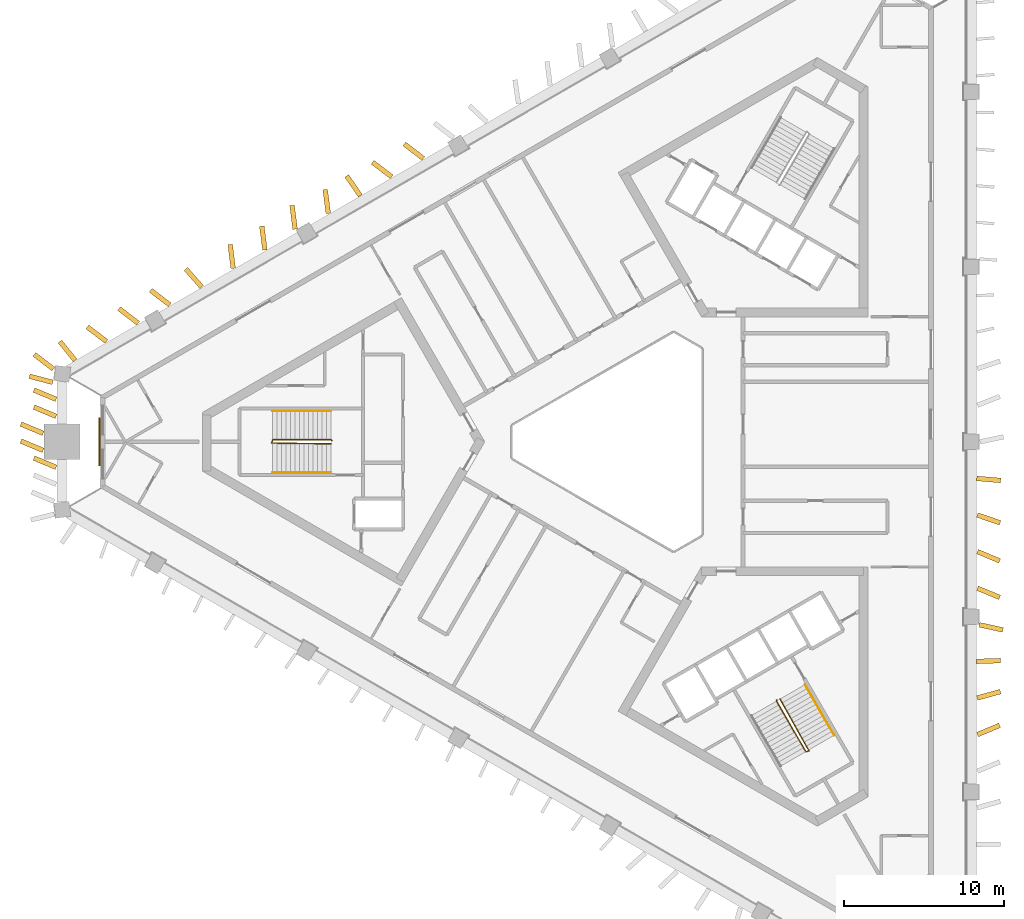
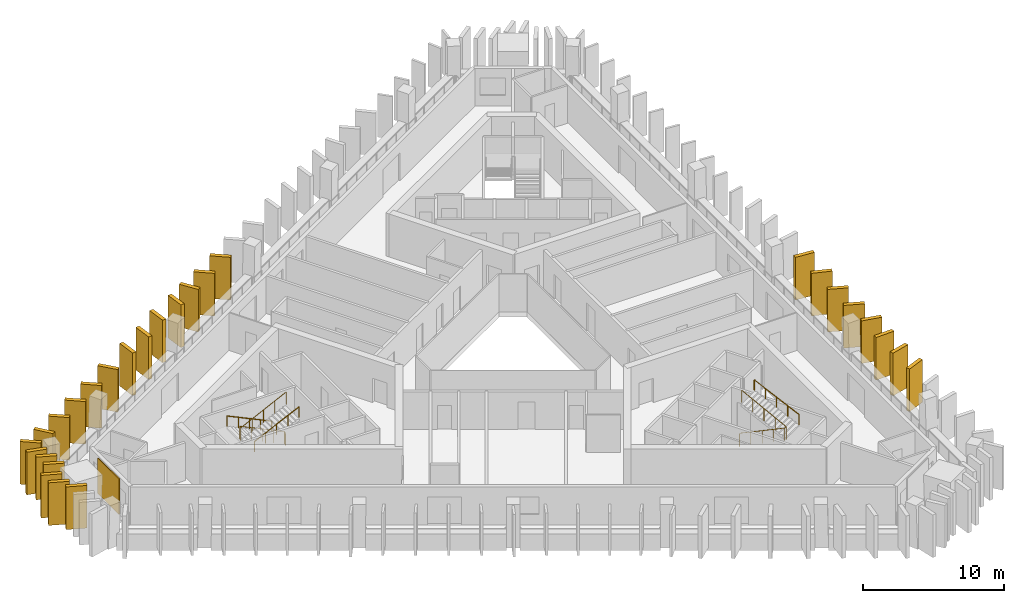
# One storey, part 8 of 10: 27 shading devices, 5 railings, 1 covering.
"""IFC4 building model written with IfcOpenShell, lengths in metres."""

from ifc_helpers import new_model, si_unit, direction, frame, frame_2d, origin, origin_2d, place, context, subcontext, project, spatial, rectangle, circle, extrude, material, layer, layer_set, type_object, element, save


model = new_model("IFC4")

# Units and contexts
model_context = context("Model", 3, precision=1e-05, world=origin(), true_north=direction((0.0, 1.0)))
body_context = subcontext(model_context, "Body", "Model", "MODEL_VIEW")
ifc_project = project(units=[si_unit("LENGTHUNIT", "METRE"), si_unit("AREAUNIT", "SQUARE_METRE"), si_unit("VOLUMEUNIT", "CUBIC_METRE"), si_unit("PLANEANGLEUNIT", "RADIAN"), si_unit("MASSUNIT", "GRAM", prefix="KILO")], contexts=[model_context])

# Site, building, storey
site_placement = place(None, origin())
site = spatial("IfcSite", under=ifc_project, at=site_placement, CompositionType="ELEMENT")
building_placement = place(site_placement, origin())
building = spatial("IfcBuilding", under=site, at=building_placement, Name="Jabali Bay Hotel Tower and Convention Centre", CompositionType="ELEMENT")
storey_placement = place(building_placement, frame((0.0, 0.0, 163.699951171875)))
storey = spatial("IfcBuildingStorey", under=building, at=storey_placement, Name="L39", CompositionType="ELEMENT", Elevation=163.699951171875)

# Shading devices
ifc_material_1 = material(Name="Precast concrete C60", Category="concrete")
ifc_layer_1 = layer(ifc_material_1, 0.300048828125)
ifc_layer_set_1 = layer_set([ifc_layer_1], Name="Precast concrete C60")
shading_device_type = type_object("IfcShadingDeviceType", Name="Precast fin 3680 x 1500", PredefinedType="USERDEFINED", material=ifc_layer_set_1)
shading_device_1_placement = place(storey_placement, frame((96.700927734375, 61.757080078125, 0.010009765625), z_axis=(0.0, 0.0, 1.0), x_axis=(0.923129890319, 0.384488238571, 0.0)))
element("IfcShadingDevice", 1, at=shading_device_1_placement, inside=storey, type_object=shading_device_type, Name="Fin L39 004", ObjectType="FIN", PredefinedType="USERDEFINED", context=body_context, shape_type="SweptSolid", body=[
    extrude(rectangle(XDim=1.499755859375, YDim=0.300048828125, at=frame_2d((0.75, 0.0))), origin(), (0.0, 0.0, 1.0), 3.679931640625),
])
shading_device_2_placement = place(storey_placement, frame((96.68310546875, 64.037353515625, 0.010009765625), z_axis=(0.0, 0.0, 1.0), x_axis=(0.963936480831, 0.266132412387, 0.0)))
element("IfcShadingDevice", 2, at=shading_device_2_placement, inside=storey, type_object=shading_device_type, Name="Fin L39 005", ObjectType="FIN", PredefinedType="USERDEFINED", context=body_context, shape_type="SweptSolid", body=[
    extrude(rectangle(XDim=1.5, YDim=0.300048828125, at=frame_2d((0.75, 0.0))), origin(), (0.0, 0.0, 1.0), 3.679931640625),
])
shading_device_3_placement = place(storey_placement, frame((96.648193359375, 66.31787109375, 0.010009765625), z_axis=(0.0, 0.0, 1.0), x_axis=(0.999443098898, 0.033369028546, 0.0)))
element("IfcShadingDevice", 3, at=shading_device_3_placement, inside=storey, type_object=shading_device_type, Name="Fin L39 006", ObjectType="FIN", PredefinedType="USERDEFINED", context=body_context, shape_type="SweptSolid", body=[
    extrude(rectangle(XDim=1.499755859375, YDim=0.300048828125, at=frame_2d((0.75, 0.0))), origin(), (0.0, 0.0, 1.0), 3.679931640625),
])
shading_device_4_placement = place(storey_placement, frame((96.82275390625, 68.59814453125, 0.010009765625), z_axis=(0.0, 0.0, 1.0), x_axis=(0.977325946755, -0.211740392461, 0.0)))
element("IfcShadingDevice", 4, at=shading_device_4_placement, inside=storey, type_object=shading_device_type, Name="Fin L39 007", ObjectType="FIN", PredefinedType="USERDEFINED", context=body_context, shape_type="SweptSolid", body=[
    extrude(rectangle(XDim=1.5, YDim=0.300048828125, at=frame_2d((0.75, 0.0))), origin(), (0.0, 0.0, 1.0), 3.679931640625),
])
shading_device_5_placement = place(storey_placement, frame((96.7001953125, 70.878662109375, 0.010009765625), z_axis=(0.0, 0.0, 1.0), x_axis=(0.924519612848, -0.381134471623, 0.0)))
element("IfcShadingDevice", 5, at=shading_device_5_placement, inside=storey, type_object=shading_device_type, Name="Fin L39 008", ObjectType="FIN", PredefinedType="USERDEFINED", context=body_context, shape_type="SweptSolid", body=[
    extrude(rectangle(XDim=1.500244140625, YDim=0.300048828125, at=frame_2d((0.75, 0.0))), origin(), (0.0, 0.0, 1.0), 3.679931640625),
])
for number, where, z_axis, x_axis, name in (
    (6, (96.70068359375, 73.158935546875, 0.010009765625), (0.0, 0.0, 1.0), (0.923153948977, -0.38443047029, 0.0), "Fin L39 009"),
    (7, (96.69140625, 75.439208984375, 0.010009765625), (0.0, 0.0, 1.0), (0.946927398695, -0.32144750987, 0.0), "Fin L39 010"),
):
    element("IfcShadingDevice", number, at=place(storey_placement, frame(where, z_axis=z_axis, x_axis=x_axis)), inside=storey, type_object=shading_device_type, Name=name, ObjectType="FIN", PredefinedType="USERDEFINED", context=body_context, shape_type="SweptSolid", body=[
        extrude(rectangle(XDim=1.5, YDim=0.300048828125, at=frame_2d((0.75, 0.0))), origin(), (0.0, 0.0, 1.0), 3.679931640625),
    ])
shading_device_6_placement = place(storey_placement, frame((96.656005859375, 77.7197265625, 0.010009765625), z_axis=(0.0, 0.0, 1.0), x_axis=(0.996341898817, -0.085456542539, 0.0)))
element("IfcShadingDevice", 8, at=shading_device_6_placement, inside=storey, type_object=shading_device_type, Name="Fin L39 011", ObjectType="FIN", PredefinedType="USERDEFINED", context=body_context, shape_type="SweptSolid", body=[
    extrude(rectangle(XDim=1.499755859375, YDim=0.300048828125, at=frame_2d((0.75, 0.0))), origin(), (0.0, 0.0, 1.0), 3.679931640625),
])
for number, where, z_axis, x_axis, name in (
    (9, (62.1748046875, 97.6533203125, 0.010009765625), (0.0, 0.0, 1.0), (-0.794537958448, 0.607214486475, 0.0), "Fin L39 046"),
    (10, (60.199951171875, 96.51318359375, 0.010009765625), (0.0, 0.0, 1.0), (-0.794616478363, 0.607111729679, 0.0), "Fin L39 047"),
    (11, (58.247802734375, 95.333251953125, 0.010009765625), (0.0, 0.0, 1.0), (-0.567219383419, 0.823566737474, 0.0), "Fin L39 048"),
    (12, (56.250244140625, 94.232666015625, 0.010009765625), (0.0, 0.0, 1.0), (-0.128580707026, 0.991699047988, 0.0), "Fin L39 049"),
    (13, (54.18408203125, 93.25048828125, 0.010009765625), (0.0, 0.0, 1.0), (-0.128580707026, 0.991699047988, 0.0), "Fin L39 050"),
    (14, (52.300537109375, 91.952392578125, 0.010009765625), (0.0, 0.0, 1.0), (-0.128580707026, 0.991699047988, 0.0), "Fin L39 051"),
    (15, (50.32568359375, 90.812255859375, 0.010009765625), (0.0, 0.0, 1.0), (-0.128580707026, 0.991699047988, 0.0), "Fin L39 052"),
    (16, (48.36474609375, 89.647705078125, 0.010009765625), (0.0, 0.0, 1.0), (-0.66118545723, 0.750222494429, 0.0), "Fin L39 053"),
    (17, (46.3759765625, 88.53173828125, 0.010009765625), (0.0, 0.0, 1.0), (-0.794537958448, 0.607214486475, 0.0), "Fin L39 054"),
    (18, (44.401123046875, 87.3916015625, 0.010009765625), (0.0, 0.0, 1.0), (-0.794537958448, 0.607214486475, 0.0), "Fin L39 055"),
    (19, (42.42626953125, 86.25146484375, 0.010009765625), (0.0, 0.0, 1.0), (-0.794537958448, 0.607214486475, 0.0), "Fin L39 056"),
):
    element("IfcShadingDevice", number, at=place(storey_placement, frame(where, z_axis=z_axis, x_axis=x_axis)), inside=storey, type_object=shading_device_type, Name=name, ObjectType="FIN", PredefinedType="USERDEFINED", context=body_context, shape_type="SweptSolid", body=[
        extrude(rectangle(XDim=1.5, YDim=0.300048828125, at=frame_2d((0.75, 0.0))), origin(), (0.0, 0.0, 1.0), 3.679931640625),
    ])
shading_device_7_placement = place(storey_placement, frame((40.46875, 85.0810546875, 0.010009765625), z_axis=(0.0, 0.0, 1.0), x_axis=(-0.626380513385, 0.779517448458, 0.0)))
element("IfcShadingDevice", 20, at=shading_device_7_placement, inside=storey, type_object=shading_device_type, Name="Fin L39 057", ObjectType="FIN", PredefinedType="USERDEFINED", context=body_context, shape_type="SweptSolid", body=[
    extrude(rectangle(XDim=1.500244140625, YDim=0.300048828125, at=frame_2d((0.75, 0.0))), origin(), (0.0, 0.0, 1.0), 3.679931640625),
])
shading_device_8_placement = place(storey_placement, frame((39.076904296875, 83.708251953125, 0.010009765625), z_axis=(0.0, 0.0, 1.0), x_axis=(-0.967651833377, 0.252289376238, 0.0)))
element("IfcShadingDevice", 21, at=shading_device_8_placement, inside=storey, type_object=shading_device_type, Name="Fin L39 058", ObjectType="FIN", PredefinedType="USERDEFINED", context=body_context, shape_type="SweptSolid", body=[
    extrude(rectangle(XDim=1.5, YDim=0.300048828125, at=frame_2d((0.75, 0.0))), origin(), (0.0, 0.0, 1.0), 3.679931640625),
])
for number, where, z_axis, x_axis, name in (
    (22, (39.29443359375, 82.648681640625, 0.010009765625), (0.0, 0.0, 1.0), (-0.923129890319, 0.384488238571, 0.0), "Fin L39 059"),
    (23, (39.29443359375, 81.58935546875, 0.010009765625), (0.0, 0.0, 1.0), (-0.923129890319, 0.384488238571, 0.0), "Fin L39 060"),
    (24, (38.48193359375, 80.52978515625, 0.010009765625), (0.0, 0.0, 1.0), (-0.923129890319, 0.384488238571, 0.0), "Fin L39 061"),
    (25, (38.48193359375, 79.47021484375, 0.010009765625), (0.0, 0.0, 1.0), (-0.923129890319, 0.384488238571, 0.0), "Fin L39 062"),
):
    element("IfcShadingDevice", number, at=place(storey_placement, frame(where, z_axis=z_axis, x_axis=x_axis)), inside=storey, type_object=shading_device_type, Name=name, ObjectType="FIN", PredefinedType="USERDEFINED", context=body_context, shape_type="SweptSolid", body=[
        extrude(rectangle(XDim=1.499755859375, YDim=0.300048828125, at=frame_2d((0.75, 0.0))), origin(), (0.0, 0.0, 1.0), 3.679931640625),
    ])
for number, where, z_axis, x_axis, name in (
    (26, (39.29443359375, 78.41064453125, 0.010009765625), (0.0, 0.0, 1.0), (-0.923072107306, 0.384626942261, 0.0), "Fin L39 063"),
    (27, (39.119873046875, 84.53759765625, 0.010009765625), (0.0, 0.0, 1.0), (-0.794260807491, 0.607576966058, 0.0), "Fin L39 102"),
):
    element("IfcShadingDevice", number, at=place(storey_placement, frame(where, z_axis=z_axis, x_axis=x_axis)), inside=storey, type_object=shading_device_type, Name=name, ObjectType="FIN", PredefinedType="USERDEFINED", context=body_context, shape_type="SweptSolid", body=[
        extrude(rectangle(XDim=1.5, YDim=0.300048828125, at=frame_2d((0.75, 0.0))), origin(), (0.0, 0.0, 1.0), 3.679931640625),
    ])

# Covering
ifc_material_2 = material(Name="Precast concrete C40/50", Category="concrete")
ifc_layer_2 = layer(ifc_material_2, 0.080078125)
ifc_layer_set_2 = layer_set([ifc_layer_2], Name="Precast concrete C40/50")
covering_type = type_object("IfcCoveringType", Name="Relief panel 3000 x 3050", PredefinedType="CLADDING", material=ifc_layer_set_2)
covering_placement = place(storey_placement, frame((41.9990234375, 80.0, 0.10009765625), z_axis=(0.0, 0.0, 1.0), x_axis=(0.0, 1.0, 0.0)))
element("IfcCovering", 28, at=covering_placement, inside=storey, type_object=covering_type, Name="Relief panel L39", PredefinedType="CLADDING", context=body_context, shape_type="SweptSolid", body=[
    extrude(rectangle(XDim=3.0, YDim=0.080078125, at=origin_2d()), origin(), (0.0, 0.0, 1.0), 3.050048828125),
])

# Railings
ifc_material_3 = material(Name="Steel Q355B", Category="steel")
railing_type_1 = type_object("IfcRailingType", Name="Stair guard 1100", PredefinedType="GUARDRAIL", material=ifc_material_3)
railing_1_placement = place(storey_placement, frame((56.469970703125, 80.074951171875, 0.0)))
element("IfcRailing", 29, at=railing_1_placement, inside=storey, type_object=railing_type_1, Name="L39 ST1 stair guard 1", PredefinedType="GUARDRAIL", context=body_context, shape_type="SweptSolid", body=[
    extrude(circle(Radius=0.02392578125, at=origin_2d()), frame((0.0, 0.0, 1.076171875), z_axis=(-0.333993628408, 0.333993628408, 0.881417331555), x_axis=(-0.707106781187, -0.707106781187, 0.0)), (0.0, 0.0, 1.0), 0.14990234375),
    extrude(circle(Radius=0.02392578125, at=origin_2d()), frame((-0.050048828125, 0.050048828125, 1.2080078125), z_axis=(-0.904327350853, 0.0, 0.426839598092), x_axis=(0.0, -1.0, 0.0)), (0.0, 0.0, 1.0), 4.02490234375),
    extrude(circle(Radius=0.02392578125, at=origin_2d()), frame((-3.68994140625, 0.050048828125, 2.92626953125), z_axis=(-0.242814311512, -0.970072785993, 0.0), x_axis=(0.970072785993, -0.242814311512, 0.0)), (0.0, 0.0, 1.0), 0.2060546875),
    extrude(circle(Radius=0.02392578125, at=origin_2d()), frame((-3.739990234375, -0.14990234375, 2.92626953125), z_axis=(0.893887803671, -0.012124321804, 0.4481267625), x_axis=(0.013562335953, 0.999908027292, 0.0)), (0.0, 0.0, 1.0), 4.1279296875),
    extrude(circle(Radius=0.02099609375, at=origin_2d()), origin(), (0.0, 0.0, 1.0), 1.052001953125),
    extrude(circle(Radius=0.02099609375, at=origin_2d()), frame((-0.050048828125, 0.050048828125, 0.132080078125)), (0.0, 0.0, 1.0), 1.052001953125),
    extrude(circle(Radius=0.02099609375, at=origin_2d()), frame((-0.9599609375, 0.050048828125, 0.5615234375)), (0.0, 0.0, 1.0), 1.052001953125),
    extrude(circle(Radius=0.02099609375, at=origin_2d()), frame((-1.8701171875, 0.050048828125, 0.9912109375)), (0.0, 0.0, 1.0), 1.052001953125),
    extrude(circle(Radius=0.02099609375, at=origin_2d()), frame((-2.780029296875, 0.050048828125, 1.420654296875)), (0.0, 0.0, 1.0), 1.052001953125),
    extrude(circle(Radius=0.02099609375, at=origin_2d()), frame((-3.68994140625, 0.050048828125, 1.85009765625)), (0.0, 0.0, 1.0), 1.052001953125),
    extrude(circle(Radius=0.02099609375, at=origin_2d()), frame((-3.739990234375, -0.14990234375, 1.85009765625)), (0.0, 0.0, 1.0), 1.052001953125),
    extrude(circle(Radius=0.02099609375, at=origin_2d()), frame((-2.8173828125, -0.162353515625, 2.3125)), (0.0, 0.0, 1.0), 1.052001953125),
    extrude(circle(Radius=0.02099609375, at=origin_2d()), frame((-1.89501953125, -0.1748046875, 2.77490234375)), (0.0, 0.0, 1.0), 1.052001953125),
    extrude(circle(Radius=0.02099609375, at=origin_2d()), frame((-0.97265625, -0.1875, 3.237548828125)), (0.0, 0.0, 1.0), 1.052001953125),
    extrude(circle(Radius=0.02099609375, at=origin_2d()), frame((-0.050048828125, -0.199951171875, 3.699951171875)), (0.0, 0.0, 1.0), 1.052001953125),
])
railing_2_placement = place(storey_placement, frame((84.199951171875, 63.9150390625, 0.0)))
element("IfcRailing", 30, at=railing_2_placement, inside=storey, type_object=railing_type_1, Name="L39 ST3 stair guard 1", PredefinedType="GUARDRAIL", context=body_context, shape_type="SweptSolid", body=[
    extrude(circle(Radius=0.02392578125, at=origin_2d()), frame((0.0, 0.0, 1.076171875), z_axis=(-0.122196845461, -0.456201556387, 0.881446578591), x_axis=(0.965948051503, -0.258736085224, 0.0)), (0.0, 0.0, 1.0), 0.14990234375),
    extrude(circle(Radius=0.02392578125, at=origin_2d()), frame((-0.018310546875, -0.068359375, 1.2080078125), z_axis=(0.45217862506, -0.783169739339, 0.426825081763), x_axis=(0.866018046521, 0.500012742938, 0.0)), (0.0, 0.0, 1.0), 4.025146484375),
    extrude(circle(Radius=0.02392578125, at=origin_2d()), frame((1.8017578125, -3.220703125, 2.92626953125), z_axis=(0.96121063429, 0.275815366736, 0.0), x_axis=(-0.275815366736, 0.96121063429, 0.0)), (0.0, 0.0, 1.0), 0.206298828125),
    extrude(circle(Radius=0.02392578125, at=origin_2d()), frame((2.0, -3.163818359375, 2.92626953125), z_axis=(-0.436481798955, 0.780166857725, 0.448133142368), x_axis=(-0.872702246529, -0.488252792008, 0.0)), (0.0, 0.0, 1.0), 4.1279296875),
    extrude(circle(Radius=0.02099609375, at=origin_2d()), origin(), (0.0, 0.0, 1.0), 1.052001953125),
    extrude(circle(Radius=0.02099609375, at=origin_2d()), frame((-0.018310546875, -0.068359375, 0.132080078125)), (0.0, 0.0, 1.0), 1.052001953125),
    extrude(circle(Radius=0.02099609375, at=origin_2d()), frame((0.436767578125, -0.8564453125, 0.5615234375)), (0.0, 0.0, 1.0), 1.052001953125),
    extrude(circle(Radius=0.02099609375, at=origin_2d()), frame((0.8916015625, -1.64453125, 0.9912109375)), (0.0, 0.0, 1.0), 1.052001953125),
    extrude(circle(Radius=0.02099609375, at=origin_2d()), frame((1.3466796875, -2.4326171875, 1.420654296875)), (0.0, 0.0, 1.0), 1.052001953125),
    extrude(circle(Radius=0.02099609375, at=origin_2d()), frame((1.8017578125, -3.220703125, 1.85009765625)), (0.0, 0.0, 1.0), 1.052001953125),
    extrude(circle(Radius=0.02099609375, at=origin_2d()), frame((2.0, -3.163818359375, 1.85009765625)), (0.0, 0.0, 1.0), 1.052001953125),
    extrude(circle(Radius=0.02099609375, at=origin_2d()), frame((1.549560546875, -2.358642578125, 2.3125)), (0.0, 0.0, 1.0), 1.052001953125),
    extrude(circle(Radius=0.02099609375, at=origin_2d()), frame((1.09912109375, -1.5537109375, 2.77490234375)), (0.0, 0.0, 1.0), 1.052001953125),
    extrude(circle(Radius=0.02099609375, at=origin_2d()), frame((0.648681640625, -0.74853515625, 3.237548828125)), (0.0, 0.0, 1.0), 1.052001953125),
    extrude(circle(Radius=0.02099609375, at=origin_2d()), frame((0.1982421875, 0.056640625, 3.699951171875)), (0.0, 0.0, 1.0), 1.052001953125),
])
railing_type_2 = type_object("IfcRailingType", Name="Stair handrail 900", PredefinedType="HANDRAIL", material=ifc_material_3)
railing_3_placement = place(storey_placement, frame((56.419921875, 81.925048828125, 0.132080078125)))
element("IfcRailing", 31, at=railing_3_placement, inside=storey, type_object=railing_type_2, Name="L39 ST1 stair handrail 1", PredefinedType="HANDRAIL", context=body_context, shape_type="SweptSolid", body=[
    extrude(circle(Radius=0.02392578125, at=origin_2d()), frame((0.0, 0.0, 0.8759765625), z_axis=(-0.904327350853, 0.0, 0.426839598092), x_axis=(0.0, -1.0, 0.0)), (0.0, 0.0, 1.0), 4.02490234375),
    extrude(circle(Radius=0.02099609375, at=origin_2d()), origin(), (0.0, 0.0, 1.0), 0.851806640625),
    extrude(circle(Radius=0.02099609375, at=origin_2d()), frame((-0.909912109375, 0.0, 0.429443359375)), (0.0, 0.0, 1.0), 0.851806640625),
    extrude(circle(Radius=0.02099609375, at=origin_2d()), frame((-1.81982421875, 0.0, 0.85888671875)), (0.0, 0.0, 1.0), 0.851806640625),
    extrude(circle(Radius=0.02099609375, at=origin_2d()), frame((-2.72998046875, 0.0, 1.28857421875)), (0.0, 0.0, 1.0), 0.851806640625),
    extrude(circle(Radius=0.02099609375, at=origin_2d()), frame((-3.639892578125, 0.0, 1.718017578125)), (0.0, 0.0, 1.0), 0.851806640625),
])
railing_4_placement = place(storey_placement, frame((52.780029296875, 78.074951171875, 1.982177734375)))
element("IfcRailing", 32, at=railing_4_placement, inside=storey, type_object=railing_type_2, Name="L39 ST1 stair handrail 2", PredefinedType="HANDRAIL", context=body_context, shape_type="SweptSolid", body=[
    extrude(circle(Radius=0.02392578125, at=origin_2d()), frame((0.0, 0.0, 0.8759765625), z_axis=(0.904350763662, 0.0, 0.426789990819), x_axis=(0.0, 1.0, 0.0)), (0.0, 0.0, 1.0), 4.02490234375),
    extrude(circle(Radius=0.02099609375, at=origin_2d()), origin(), (0.0, 0.0, 1.0), 0.851806640625),
    extrude(circle(Radius=0.02099609375, at=origin_2d()), frame((0.909912109375, 0.0, 0.429443359375)), (0.0, 0.0, 1.0), 0.851806640625),
    extrude(circle(Radius=0.02099609375, at=origin_2d()), frame((1.81982421875, 0.0, 0.85888671875)), (0.0, 0.0, 1.0), 0.851806640625),
    extrude(circle(Radius=0.02099609375, at=origin_2d()), frame((2.72998046875, 0.0, 1.288330078125)), (0.0, 0.0, 1.0), 0.851806640625),
    extrude(circle(Radius=0.02099609375, at=origin_2d()), frame((3.639892578125, 0.0, 1.7177734375)), (0.0, 0.0, 1.0), 0.851806640625),
])
railing_5_placement = place(storey_placement, frame((87.777099609375, 61.719482421875, 1.982177734375)))
element("IfcRailing", 33, at=railing_5_placement, inside=storey, type_object=railing_type_2, Name="L39 ST3 stair handrail 2", PredefinedType="HANDRAIL", context=body_context, shape_type="SweptSolid", body=[
    extrude(circle(Radius=0.02392578125, at=origin_2d()), frame((0.0, 0.0, 0.8759765625), z_axis=(-0.452190331055, 0.783190014029, 0.426775475427), x_axis=(-0.866018046521, -0.500012742938, 0.0)), (0.0, 0.0, 1.0), 4.02490234375),
    extrude(circle(Radius=0.02099609375, at=origin_2d()), origin(), (0.0, 0.0, 1.0), 0.851806640625),
    extrude(circle(Radius=0.02099609375, at=origin_2d()), frame((-0.455078125, 0.7880859375, 0.429443359375)), (0.0, 0.0, 1.0), 0.851806640625),
    extrude(circle(Radius=0.02099609375, at=origin_2d()), frame((-0.91015625, 1.576171875, 0.85888671875)), (0.0, 0.0, 1.0), 0.851806640625),
    extrude(circle(Radius=0.02099609375, at=origin_2d()), frame((-1.364990234375, 2.3642578125, 1.288330078125)), (0.0, 0.0, 1.0), 0.851806640625),
    extrude(circle(Radius=0.02099609375, at=origin_2d()), frame((-1.820068359375, 3.15234375, 1.7177734375)), (0.0, 0.0, 1.0), 0.851806640625),
])

save(model, "model.ifc")
